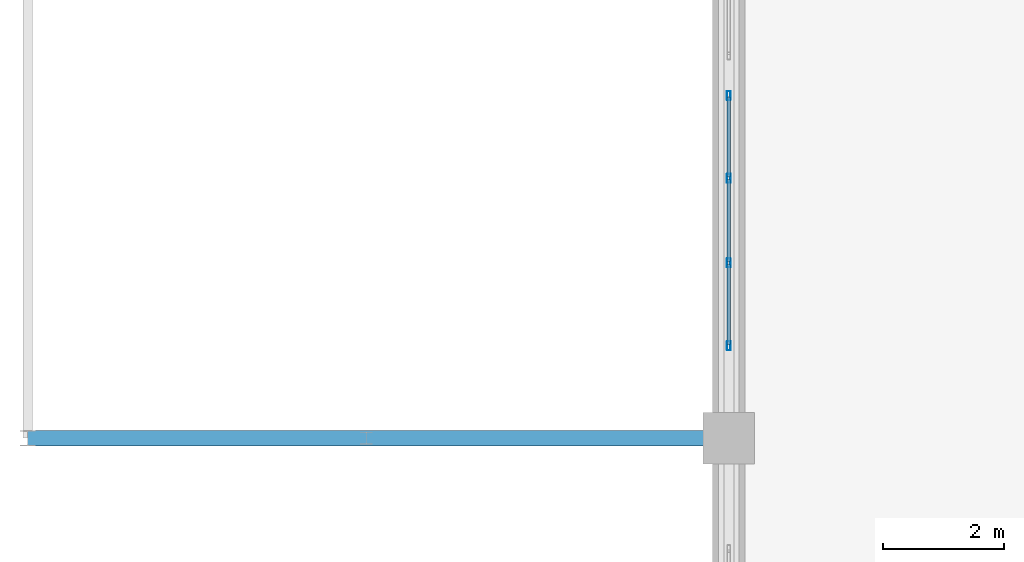
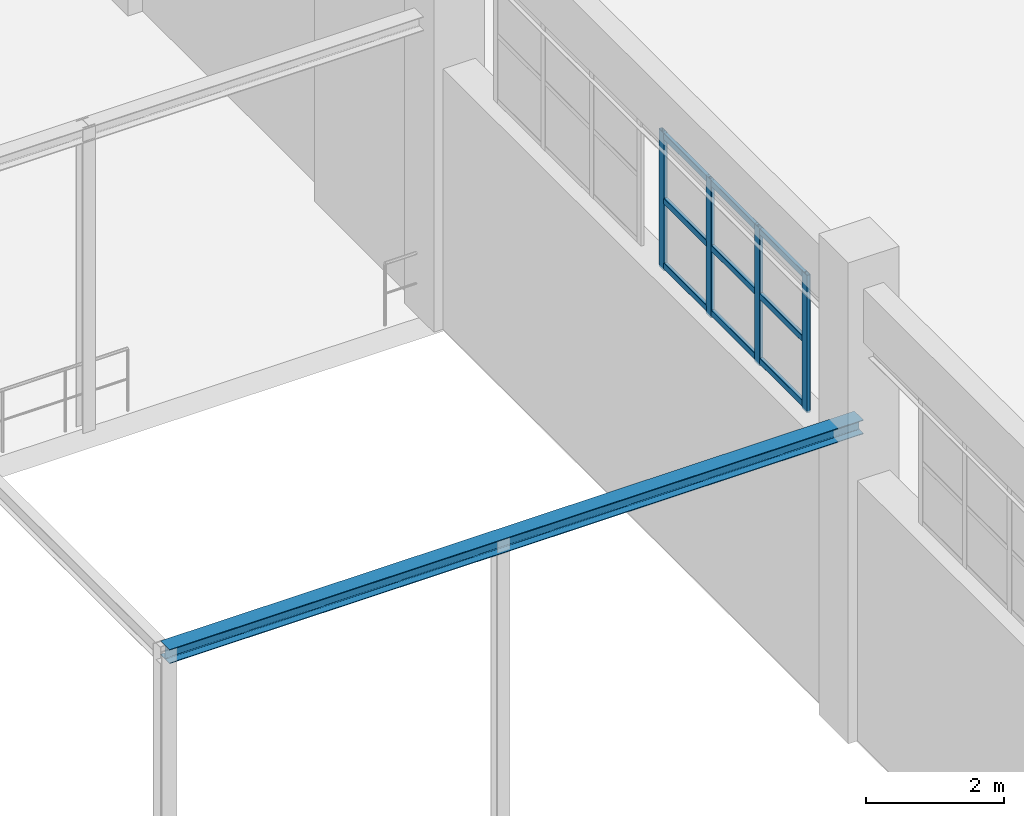
# One storey, part 41 of 97: 13 members, 1 beam, 1 element without a shape of its own.
"""IFC4 building model written with IfcOpenShell, lengths in metres."""

from ifc_helpers import new_model, si_unit, derived_unit, direction, frame, origin, origin_2d, place, context, subcontext, project, spatial, hollow_rectangle, i_section, extrude, material, layer, layer_set, material_profile, profile_set, type_object, element, aggregate, save


model = new_model("IFC4")

# Units and contexts
model_context = context("Model", 3, precision=1e-05, world=origin(), true_north=direction((0.0, 1.0)))
body_context = subcontext(model_context, "Body", "Model", "MODEL_VIEW")
ifc_project = project(units=[si_unit("LENGTHUNIT", "METRE"), si_unit("AREAUNIT", "SQUARE_METRE"), si_unit("VOLUMEUNIT", "CUBIC_METRE"), si_unit("PLANEANGLEUNIT", "RADIAN"), si_unit("MASSUNIT", "GRAM", prefix="KILO"), derived_unit("THERMALTRANSMITTANCEUNIT", [(si_unit("POWERUNIT", "WATT"), 1), (si_unit("LENGTHUNIT", "METRE"), -2), (si_unit("THERMODYNAMICTEMPERATUREUNIT", "KELVIN"), -1)])], contexts=[model_context])

# Site, building, storey
site_placement = place(None, origin())
site = spatial("IfcSite", under=ifc_project, at=site_placement, CompositionType="ELEMENT")
building_placement = place(site_placement, origin())
building = spatial("IfcBuilding", under=site, at=building_placement, Name="Almenara Railside Exhibition Hall", CompositionType="ELEMENT")
storey_placement = place(building_placement, frame((0.0, 0.0, 10.800048828125)))
storey = spatial("IfcBuildingStorey", under=building, at=storey_placement, Name="L02", CompositionType="ELEMENT", Elevation=10.800048828125)

# Curtain wall, members
ifc_material_1 = material(Name="Bronze-anodised aluminium and low-E double glazing", Category="aluminium")
ifc_layer = layer(ifc_material_1, 0.179931640625, Name="Bronze-anodised aluminium and low-E double glazing")
ifc_layer_set = layer_set([ifc_layer], Name="Bronze-anodised aluminium and low-E double glazing")
curtain_wall_type = type_object("IfcCurtainWallType", Name="West Hall Clerestory Curtain Wall 4200x2400", PredefinedType="NOTDEFINED", material=ifc_layer_set)
curtain_wall_placement = place(storey_placement, origin())
curtain_wall = element("IfcCurtainWall", 1, at=curtain_wall_placement, inside=storey, type_object=curtain_wall_type, Name="Curtain wall CW-CL1-017", PredefinedType="NOTDEFINED")
ifc_material_2 = material(Name="Bronze-anodised aluminium", Category="aluminium")
ifc_material_profile_1 = material_profile(ifc_material_2, hollow_rectangle(XDim=0.06005859375, YDim=0.14990234375, WallThickness=0.00341796875, InnerFilletRadius=0.00341796875, OuterFilletRadius=0.007080078125, at=origin_2d()), Name="ALU-MUL 60x150x3.5")
ifc_profile_set_1 = profile_set([ifc_material_profile_1], Name="Bronze-anodised aluminium")
member_type_1 = type_object("IfcMemberType", Name="Curtain Wall Mullion 60x150x3.5", PredefinedType="MULLION", material=ifc_profile_set_1)
member_1_placement = place(storey_placement, frame((12.0, 97.530029296875, 4.56494140625), z_axis=(0.0, 0.0, 1.0), x_axis=(-1.0, 0.0, 0.0)))
member_1 = element("IfcMember", 2, at=member_1_placement, type_object=member_type_1, Name="CW-CL1-017 mullion 1", PredefinedType="MULLION", context=body_context, shape_type="SweptSolid", body=[
    extrude(hollow_rectangle(XDim=0.06005859375, YDim=0.14990234375, WallThickness=0.00341796875, InnerFilletRadius=0.00341796875, OuterFilletRadius=0.007080078125, at=origin_2d()), origin(), (0.0, 0.0, 1.0), 2.43505859375),
])
member_2_placement = place(storey_placement, frame((12.0, 98.89990234375, 4.56494140625), z_axis=(0.0, 0.0, 1.0), x_axis=(-1.0, 0.0, 0.0)))
member_2 = element("IfcMember", 3, at=member_2_placement, type_object=member_type_1, Name="CW-CL1-017 mullion 2", PredefinedType="MULLION", context=body_context, shape_type="SweptSolid", body=[
    extrude(hollow_rectangle(XDim=0.06005859375, YDim=0.14990234375, WallThickness=0.00341796875, InnerFilletRadius=0.00341796875, OuterFilletRadius=0.007080078125, at=origin_2d()), origin(), (0.0, 0.0, 1.0), 2.43505859375),
])
member_3_placement = place(storey_placement, frame((12.0, 100.300048828125, 4.56494140625), z_axis=(0.0, 0.0, 1.0), x_axis=(-1.0, 0.0, 0.0)))
member_3 = element("IfcMember", 4, at=member_3_placement, type_object=member_type_1, Name="CW-CL1-017 mullion 3", PredefinedType="MULLION", context=body_context, shape_type="SweptSolid", body=[
    extrude(hollow_rectangle(XDim=0.06005859375, YDim=0.14990234375, WallThickness=0.00341796875, InnerFilletRadius=0.00341796875, OuterFilletRadius=0.007080078125, at=origin_2d()), origin(), (0.0, 0.0, 1.0), 2.43505859375),
])
member_4_placement = place(storey_placement, frame((12.0, 101.669921875, 4.56494140625), z_axis=(0.0, 0.0, 1.0), x_axis=(-1.0, 0.0, 0.0)))
member_4 = element("IfcMember", 5, at=member_4_placement, type_object=member_type_1, Name="CW-CL1-017 mullion 4", PredefinedType="MULLION", context=body_context, shape_type="SweptSolid", body=[
    extrude(hollow_rectangle(XDim=0.06005859375, YDim=0.14990234375, WallThickness=0.00341796875, InnerFilletRadius=0.00341796875, OuterFilletRadius=0.007080078125, at=origin_2d()), origin(), (0.0, 0.0, 1.0), 2.43505859375),
])
ifc_material_profile_2 = material_profile(ifc_material_2, hollow_rectangle(XDim=0.06005859375, YDim=0.110107421875, WallThickness=0.0029296875, InnerFilletRadius=0.0029296875, OuterFilletRadius=0.006103515625, at=origin_2d()), Name="ALU-TRN 60x110x3")
ifc_profile_set_2 = profile_set([ifc_material_profile_2], Name="Bronze-anodised aluminium")
member_type_2 = type_object("IfcMemberType", Name="Curtain Wall Transom 60x110x3", PredefinedType="USERDEFINED", material=ifc_profile_set_2)
member_5_placement = place(storey_placement, frame((12.0, 97.552001953125, 4.655029296875), z_axis=(0.0, 1.0, 0.0), x_axis=(-1.0, 0.0, 0.0)))
member_5 = element("IfcMember", 6, at=member_5_placement, type_object=member_type_2, Name="CW-CL1-017 transom 1.1", ObjectType="TRANSOM", PredefinedType="USERDEFINED", context=body_context, shape_type="SweptSolid", body=[
    extrude(hollow_rectangle(XDim=0.06005859375, YDim=0.110107421875, WallThickness=0.0029296875, InnerFilletRadius=0.0029296875, OuterFilletRadius=0.006103515625, at=origin_2d()), origin(), (0.0, 0.0, 1.0), 1.325927734375),
])
member_6_placement = place(storey_placement, frame((12.0, 97.552001953125, 5.800048828125), z_axis=(0.0, 1.0, 0.0), x_axis=(-1.0, 0.0, 0.0)))
member_6 = element("IfcMember", 7, at=member_6_placement, type_object=member_type_2, Name="CW-CL1-017 transom 1.2", ObjectType="TRANSOM", PredefinedType="USERDEFINED", context=body_context, shape_type="SweptSolid", body=[
    extrude(hollow_rectangle(XDim=0.06005859375, YDim=0.110107421875, WallThickness=0.0029296875, InnerFilletRadius=0.0029296875, OuterFilletRadius=0.006103515625, at=origin_2d()), origin(), (0.0, 0.0, 1.0), 1.325927734375),
])
member_7_placement = place(storey_placement, frame((12.0, 97.552001953125, 6.945068359375), z_axis=(0.0, 1.0, 0.0), x_axis=(-1.0, 0.0, 0.0)))
member_7 = element("IfcMember", 8, at=member_7_placement, type_object=member_type_2, Name="CW-CL1-017 transom 1.3", ObjectType="TRANSOM", PredefinedType="USERDEFINED", context=body_context, shape_type="SweptSolid", body=[
    extrude(hollow_rectangle(XDim=0.06005859375, YDim=0.110107421875, WallThickness=0.0029296875, InnerFilletRadius=0.0029296875, OuterFilletRadius=0.006103515625, at=origin_2d()), origin(), (0.0, 0.0, 1.0), 1.325927734375),
])
member_8_placement = place(storey_placement, frame((12.0, 98.922119140625, 4.655029296875), z_axis=(0.0, 1.0, 0.0), x_axis=(-1.0, 0.0, 0.0)))
member_8 = element("IfcMember", 9, at=member_8_placement, type_object=member_type_2, Name="CW-CL1-017 transom 2.1", ObjectType="TRANSOM", PredefinedType="USERDEFINED", context=body_context, shape_type="SweptSolid", body=[
    extrude(hollow_rectangle(XDim=0.06005859375, YDim=0.110107421875, WallThickness=0.0029296875, InnerFilletRadius=0.0029296875, OuterFilletRadius=0.006103515625, at=origin_2d()), origin(), (0.0, 0.0, 1.0), 1.35595703125),
])
member_9_placement = place(storey_placement, frame((12.0, 98.922119140625, 5.800048828125), z_axis=(0.0, 1.0, 0.0), x_axis=(-1.0, 0.0, 0.0)))
member_9 = element("IfcMember", 10, at=member_9_placement, type_object=member_type_2, Name="CW-CL1-017 transom 2.2", ObjectType="TRANSOM", PredefinedType="USERDEFINED", context=body_context, shape_type="SweptSolid", body=[
    extrude(hollow_rectangle(XDim=0.06005859375, YDim=0.110107421875, WallThickness=0.0029296875, InnerFilletRadius=0.0029296875, OuterFilletRadius=0.006103515625, at=origin_2d()), origin(), (0.0, 0.0, 1.0), 1.35595703125),
])
member_10_placement = place(storey_placement, frame((12.0, 98.922119140625, 6.945068359375), z_axis=(0.0, 1.0, 0.0), x_axis=(-1.0, 0.0, 0.0)))
member_10 = element("IfcMember", 11, at=member_10_placement, type_object=member_type_2, Name="CW-CL1-017 transom 2.3", ObjectType="TRANSOM", PredefinedType="USERDEFINED", context=body_context, shape_type="SweptSolid", body=[
    extrude(hollow_rectangle(XDim=0.06005859375, YDim=0.110107421875, WallThickness=0.0029296875, InnerFilletRadius=0.0029296875, OuterFilletRadius=0.006103515625, at=origin_2d()), origin(), (0.0, 0.0, 1.0), 1.35595703125),
])
member_11_placement = place(storey_placement, frame((12.0, 100.322021484375, 4.655029296875), z_axis=(0.0, 1.0, 0.0), x_axis=(-1.0, 0.0, 0.0)))
member_11 = element("IfcMember", 12, at=member_11_placement, type_object=member_type_2, Name="CW-CL1-017 transom 3.1", ObjectType="TRANSOM", PredefinedType="USERDEFINED", context=body_context, shape_type="SweptSolid", body=[
    extrude(hollow_rectangle(XDim=0.06005859375, YDim=0.110107421875, WallThickness=0.0029296875, InnerFilletRadius=0.0029296875, OuterFilletRadius=0.006103515625, at=origin_2d()), origin(), (0.0, 0.0, 1.0), 1.325927734375),
])
member_12_placement = place(storey_placement, frame((12.0, 100.322021484375, 5.800048828125), z_axis=(0.0, 1.0, 0.0), x_axis=(-1.0, 0.0, 0.0)))
member_12 = element("IfcMember", 13, at=member_12_placement, type_object=member_type_2, Name="CW-CL1-017 transom 3.2", ObjectType="TRANSOM", PredefinedType="USERDEFINED", context=body_context, shape_type="SweptSolid", body=[
    extrude(hollow_rectangle(XDim=0.06005859375, YDim=0.110107421875, WallThickness=0.0029296875, InnerFilletRadius=0.0029296875, OuterFilletRadius=0.006103515625, at=origin_2d()), origin(), (0.0, 0.0, 1.0), 1.325927734375),
])
member_13_placement = place(storey_placement, frame((12.0, 100.322021484375, 6.945068359375), z_axis=(0.0, 1.0, 0.0), x_axis=(-1.0, 0.0, 0.0)))
member_13 = element("IfcMember", 14, at=member_13_placement, type_object=member_type_2, Name="CW-CL1-017 transom 3.3", ObjectType="TRANSOM", PredefinedType="USERDEFINED", context=body_context, shape_type="SweptSolid", body=[
    extrude(hollow_rectangle(XDim=0.06005859375, YDim=0.110107421875, WallThickness=0.0029296875, InnerFilletRadius=0.0029296875, OuterFilletRadius=0.006103515625, at=origin_2d()), origin(), (0.0, 0.0, 1.0), 1.325927734375),
])
aggregate(curtain_wall, [member_1, member_2, member_3, member_4, member_5, member_6, member_7, member_8, member_9, member_10, member_11, member_12, member_13])

# Beam
ifc_material_3 = material(Name="Structural steel S355JR", Category="steel")
ifc_material_profile_3 = material_profile(ifc_material_3, i_section(OverallWidth=0.260009765625, OverallDepth=0.25, WebThickness=0.007568359375, FlangeThickness=0.012451171875, FilletRadius=0.02392578125, at=origin_2d()), Name="HEA 260")
ifc_profile_set_3 = profile_set([ifc_material_profile_3], Name="Structural steel S355JR")
beam_type = type_object("IfcBeamType", Name="Steel Ramp Canopy Beam HEA 260 S355JR", PredefinedType="BEAM", material=ifc_profile_set_3)
beam_placement = place(storey_placement, frame((0.39990234375, 96.0, 5.27490234375), z_axis=(1.0, 0.0, 0.0), x_axis=(0.0, 1.0, 0.0)))
element("IfcBeam", 15, at=beam_placement, inside=storey, type_object=beam_type, Name="Beam 0939", PredefinedType="BEAM", context=body_context, shape_type="SweptSolid", body=[
    extrude(i_section(OverallWidth=0.260009765625, OverallDepth=0.25, WebThickness=0.007568359375, FlangeThickness=0.012451171875, FilletRadius=0.02392578125, at=origin_2d()), origin(), (0.0, 0.0, 1.0), 11.60009765625),
])

save(model, "model.ifc")
